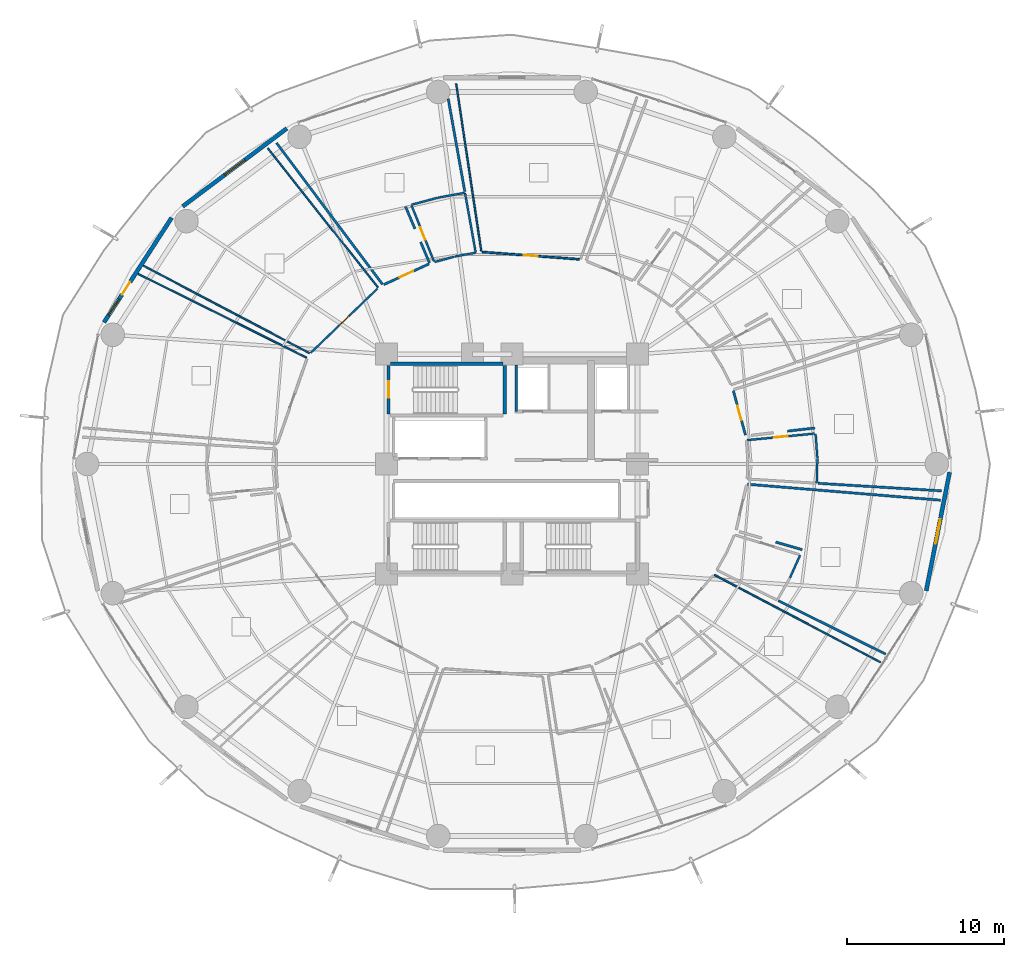
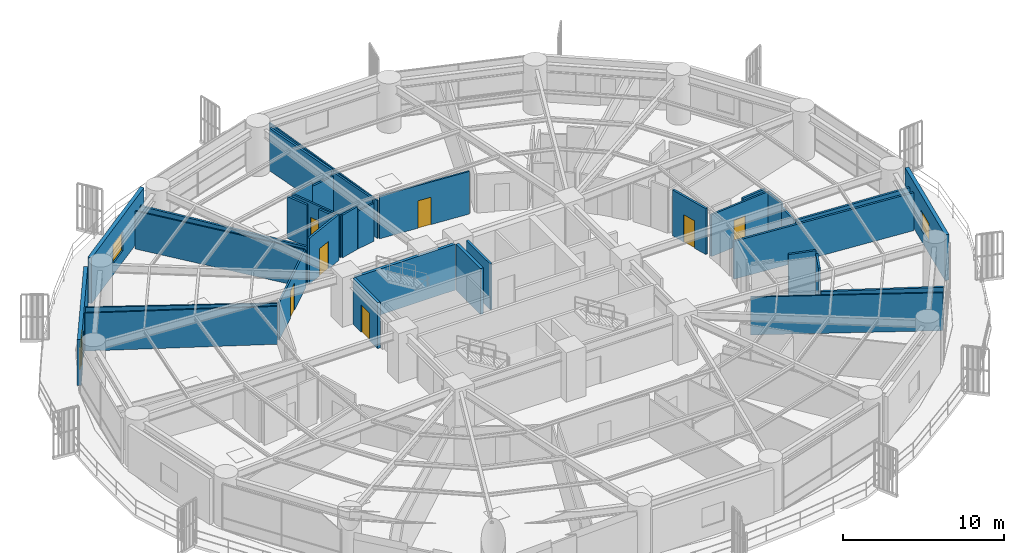
# One storey, part 25 of 32: 35 walls, 8 doors, 3 windows, 11 openings.
"""IFC4 building model written with IfcOpenShell, lengths in metres."""

import ifcopenshell
import ifcopenshell.guid

model = None  # the IFC model being written
_history = None  # IfcOwnerHistory: only IFC2X3 demands one
_inside = {}  # id of a spatial element -> (the spatial element, [elements in it])
_under = {}  # id of a project, library or spatial element -> (it, [spatial elements below it])
_declared = {}  # id of a project -> (the project, [libraries it declares])
_typed = {}  # id of a type object -> (the type object, [elements of that type])
_made_of = {}  # id of a material, layer set ... -> (it, [elements and type objects made of it])


def new_model(schema):
    """Start an empty IFC model of exactly this schema.

    Asked for "IFC4X3", IfcOpenShell would pick the latest addendum, in which some entities
    have other attributes; the version numbers below select the first issue.
    IFC2X3 requires an IfcOwnerHistory on every rooted entity: one is made here for all.
    """
    global model, _history
    if schema == "IFC4X3":
        model = ifcopenshell.file(schema_version=(4, 3, 0, 0))
    else:
        model = ifcopenshell.file(schema=schema)
    _inside.clear()
    _under.clear()
    _declared.clear()
    _typed.clear()
    _made_of.clear()
    _history = None
    if model.schema == "IFC2X3":
        org = make("IfcOrganization", Name="unknown")
        user = make(
            "IfcPersonAndOrganization",
            ThePerson=make("IfcPerson", FamilyName="unknown"),
            TheOrganization=org,
        )
        app = make(
            "IfcApplication",
            ApplicationDeveloper=org,
            Version="unknown",
            ApplicationFullName="unknown",
            ApplicationIdentifier="unknown",
        )
        _history = make(
            "IfcOwnerHistory",
            OwningUser=user,
            OwningApplication=app,
            ChangeAction="ADDED",
            CreationDate=0,
        )
    return model


def make(cls, **values):
    """One entity of the class cls with the attributes given. An attribute that is None is left unset."""
    return model.create_entity(
        cls, **{name: value for name, value in values.items() if value is not None}
    )


def rooted(cls, **values):
    """An entity with a GlobalId (a new one), such as an element, a storey or a relation."""
    return make(cls, GlobalId=ifcopenshell.guid.new(), OwnerHistory=_history, **values)


def si_unit(unit_type, name, prefix=None):
    """IfcSIUnit, for example si_unit("LENGTHUNIT", "METRE", prefix="MILLI")."""
    return make("IfcSIUnit", UnitType=unit_type, Prefix=prefix, Name=name)


def assignment(units):
    """IfcUnitAssignment: the units of a project."""
    return None if units is None else make("IfcUnitAssignment", Units=units)


def point(xyz):
    """IfcCartesianPoint."""
    return None if xyz is None else make("IfcCartesianPoint", Coordinates=xyz)


def direction(xyz):
    """IfcDirection."""
    return None if xyz is None else make("IfcDirection", DirectionRatios=xyz)


def frame(location, z_axis=None, x_axis=None):
    """IfcAxis2Placement3D, a coordinate frame: its origin and axes. An axis left out is left unset."""
    return make(
        "IfcAxis2Placement3D",
        Location=point(location),
        Axis=direction(z_axis),
        RefDirection=direction(x_axis),
    )


def frame_2d(location, x_axis=None):
    """IfcAxis2Placement2D, a coordinate frame in the plane: its origin and x axis."""
    return make(
        "IfcAxis2Placement2D", Location=point(location), RefDirection=direction(x_axis)
    )


def origin():
    """The frame at (0, 0, 0) with its axes left unset."""
    return frame((0.0, 0.0, 0.0))


def place(relative_to, where):
    """IfcLocalPlacement: puts the frame where relative to a parent placement (None: the world)."""
    return make(
        "IfcLocalPlacement", PlacementRelTo=relative_to, RelativePlacement=where
    )


def context(
    kind, dimensions, precision=None, world=None, true_north=None, identifier=None
):
    """IfcGeometricRepresentationContext, for example the 3D "Model" context."""
    return make(
        "IfcGeometricRepresentationContext",
        ContextIdentifier=identifier,
        ContextType=kind,
        CoordinateSpaceDimension=dimensions,
        Precision=precision,
        WorldCoordinateSystem=world,
        TrueNorth=true_north,
    )


def subcontext(parent, identifier, kind, view, scale=None):
    """IfcGeometricRepresentationSubContext, for example "Body" below "Model"."""
    return make(
        "IfcGeometricRepresentationSubContext",
        ContextIdentifier=identifier,
        ContextType=kind,
        ParentContext=parent,
        TargetScale=scale,
        TargetView=view,
    )


def project(units=None, contexts=None):
    """IfcProject with its units and contexts."""
    return rooted(
        "IfcProject",
        Name="project",
        RepresentationContexts=contexts,
        UnitsInContext=assignment(units),
    )


def spatial(cls, under=None, at=None, **own):
    """A site, building, storey or space (cls), placed at a placement, below another one or the project."""
    s = rooted(cls, ObjectPlacement=at, **own)
    if under is not None:
        _under.setdefault(under.id(), (under, []))[1].append(s)
    return s


def profile(cls, at=None, kind="AREA", **sizes):
    """A parametric profile (cls). Its sizes go by their IFC names, for example OverallWidth=200.0."""
    return make(cls, ProfileType=kind, Position=at, **sizes)


def rectangle(**sizes):
    """IfcRectangleProfileDef."""
    return profile("IfcRectangleProfileDef", **sizes)


def extrude(swept, where, along, depth):
    """IfcExtrudedAreaSolid: the profile swept, set in the frame where, extruded along a direction by depth."""
    return make(
        "IfcExtrudedAreaSolid",
        SweptArea=swept,
        Position=where,
        ExtrudedDirection=direction(along),
        Depth=depth,
    )


def shape(context_of_items, identifier, shape_type, items):
    """IfcShapeRepresentation: the items that make up one representation, for example the "Body"."""
    return make(
        "IfcShapeRepresentation",
        ContextOfItems=context_of_items,
        RepresentationIdentifier=identifier,
        RepresentationType=shape_type,
        Items=items,
    )


def material(Name=None, Category=None):
    """IfcMaterial."""
    return make("IfcMaterial", Name=Name, Category=Category)


def layer(
    of_material, thickness, ventilated=None, Name=None, Category=None, Priority=None
):
    """IfcMaterialLayer: one layer of a wall or slab, of a material (None: an air gap)."""
    return make(
        "IfcMaterialLayer",
        Material=of_material,
        LayerThickness=thickness,
        IsVentilated=ventilated,
        Name=Name,
        Category=Category,
        Priority=Priority,
    )


def layer_set(layers, Name=None):
    """IfcMaterialLayerSet."""
    return make("IfcMaterialLayerSet", MaterialLayers=layers, LayerSetName=Name)


def made_of(thing, what):
    """Note that an element or type object is made of a material, layer set ...; save() writes the relation."""
    if what is not None:
        _made_of.setdefault(what.id(), (what, []))[1].append(thing)
    return thing


def type_object(cls, material=None, **own):
    """A type object (cls), such as IfcWallType, which elements share."""
    return made_of(rooted(cls, **own), material)


def element(
    cls,
    number,
    at=None,
    inside=None,
    cuts=None,
    type_object=None,
    material=None,
    context=None,
    identifier="Body",
    shape_type=None,
    held_by="IfcProductDefinitionShape",
    body=None,
    shapes=None,
    **own,
):
    """One element of the class cls, such as IfcWall. Its Tag is "e" and its number.

    at: its placement. inside: the storey or other place that contains it. cuts: it is an
    opening in that element (IfcRelVoidsElement). A single representation is given by context,
    identifier, shape_type and body (its items); several are given by shapes. held_by: the class
    of the entity that holds the representations. save() writes the other relations.
    """
    e = rooted(cls, Tag="e%d" % number, ObjectPlacement=at, **own)
    if body is not None:
        shapes = [shape(context, identifier, shape_type, body)]
    if shapes is not None:
        e.Representation = make(held_by, Representations=shapes)
    if inside is not None:
        _inside.setdefault(inside.id(), (inside, []))[1].append(e)
    if cuts is not None:
        rooted(
            "IfcRelVoidsElement", RelatingBuildingElement=cuts, RelatedOpeningElement=e
        )
    if type_object is not None:
        _typed.setdefault(type_object.id(), (type_object, []))[1].append(e)
    return made_of(e, material)


def fill(opening, filler):
    """IfcRelFillsElement: the door or window that sits in an opening."""
    return rooted(
        "IfcRelFillsElement",
        RelatingOpeningElement=opening,
        RelatedBuildingElement=filler,
    )


def aggregate(whole, parts):
    """IfcRelAggregates: a whole, such as a stair, and the parts it consists of."""
    return rooted("IfcRelAggregates", RelatingObject=whole, RelatedObjects=parts)


def save(model, path):
    """Write the relations noted so far, then the file.

    IfcRelAggregates (storeys below a building ...), IfcRelContainedInSpatialStructure (elements
    in a storey), IfcRelDefinesByType, IfcRelAssociatesMaterial and IfcRelDeclares: one each for
    every whole, place, type object, material and project.
    """
    for whole, parts in _under.values():
        aggregate(whole, parts)
    for where, things in _inside.values():
        rooted(
            "IfcRelContainedInSpatialStructure",
            RelatedElements=things,
            RelatingStructure=where,
        )
    for kind, things in _typed.values():
        rooted("IfcRelDefinesByType", RelatedObjects=things, RelatingType=kind)
    for what, things in _made_of.values():
        rooted("IfcRelAssociatesMaterial", RelatedObjects=things, RelatingMaterial=what)
    for by, libraries in _declared.values():
        rooted("IfcRelDeclares", RelatingContext=by, RelatedDefinitions=libraries)
    model.write(path)


model = new_model("IFC4")

# Units and contexts
model_context = context("Model", 3, precision=1e-05, world=origin(), true_north=direction((0.0, 1.0)))
body_context = subcontext(model_context, "Body", "Model", "MODEL_VIEW")
ifc_project = project(units=[si_unit("LENGTHUNIT", "METRE"), si_unit("AREAUNIT", "SQUARE_METRE"), si_unit("VOLUMEUNIT", "CUBIC_METRE"), si_unit("PLANEANGLEUNIT", "RADIAN"), si_unit("MASSUNIT", "GRAM", prefix="KILO")], contexts=[model_context])

# Site, building, storey
site_placement = place(None, origin())
site = spatial("IfcSite", under=ifc_project, at=site_placement, CompositionType="ELEMENT")
building_placement = place(site_placement, origin())
building = spatial("IfcBuilding", under=site, at=building_placement, Name="Kelanora Arch Commons", CompositionType="ELEMENT")
storey_placement = place(building_placement, frame((0.0, 0.0, 56.25)))
storey = spatial("IfcBuildingStorey", under=building, at=storey_placement, Name="L14", CompositionType="ELEMENT", Elevation=56.25)

# Wall
ifc_material_1 = material(Name="Autoclaved aerated concrete blockwork with fire plaster", Category="masonry")
ifc_layer_1 = layer(ifc_material_1, 0.14990234375)
ifc_layer_set_1 = layer_set([ifc_layer_1], Name="Autoclaved aerated concrete blockwork with fire plaster")
wall_type_1 = type_object("IfcWallType", Name="W-COMP-150", PredefinedType="PARTITIONING", material=ifc_layer_set_1)
wall_1_placement = place(storey_placement, frame((74.280029296875, 61.35009765625, 0.0), z_axis=(0.0, 0.0, 1.0), x_axis=(0.0, 1.0, 0.0)))
element("IfcWall", 1, at=wall_1_placement, inside=storey, type_object=wall_type_1, Name="Firefighting Lift 1 West Shaft Wall L14", PredefinedType="PARTITIONING", context=body_context, shape_type="SweptSolid", body=[
    extrude(rectangle(XDim=2.969970703125, YDim=0.14990234375, at=frame_2d((1.48486328125, 0.0))), origin(), (0.0, 0.0, 1.0), 3.47998046875),
])

# Wall, opening, door
wall_2_placement = place(storey_placement, frame((68.70849609375, 70.7509765625, 0.0), z_axis=(0.0, 0.0, 1.0), x_axis=(-0.909329201607, -0.416077400378, 0.0)))
wall_2 = element("IfcWall", 2, at=wall_2_placement, inside=storey, type_object=wall_type_1, Name="Co-Living Studio L14-04 Entry Partition", PredefinedType="PARTITIONING", context=body_context, shape_type="SweptSolid", body=[
    extrude(rectangle(XDim=3.160400390625, YDim=0.14990234375, at=frame_2d((1.580078125, 0.0))), origin(), (0.0, 0.0, 1.0), 3.47998046875),
])
opening_1_placement = place(wall_2_placement, frame((1.10498046875, 0.0, 0.0)))
opening_1 = element("IfcOpeningElement", 3, at=opening_1_placement, cuts=wall_2, Name="Opening D-CLU1", PredefinedType="OPENING", context=body_context, shape_type="SweptSolid", body=[
    extrude(rectangle(XDim=0.949951171875, YDim=2.080078125, at=frame_2d((0.47509765625, 1.0400390625))), frame((0.0, 0.0849609375, 0.0), z_axis=(0.0, -1.0, 0.0), x_axis=(1.0, 0.0, 0.0)), (0.0, 0.0, 1.0), 0.169921875),
])
ifc_material_2 = material(Name="Solid-core acoustic timber cluster entry fire door", Category="wood")
door_type_1 = type_object("IfcDoorType", Name="D-CLU-95", OperationType="NOTDEFINED", PredefinedType="DOOR", material=ifc_material_2)
door_1_placement = place(opening_1_placement, origin())
door_1 = element("IfcDoor", 4, at=door_1_placement, inside=storey, type_object=door_type_1, Name="Co-Living Studio L14-04 Door", OperationType="SINGLE_SWING_LEFT", OverallHeight=2.080078125, OverallWidth=0.949951171875, PredefinedType="DOOR", context=body_context, shape_type="SweptSolid", body=[
    extrude(rectangle(XDim=0.949951171875, YDim=2.080078125, at=frame_2d((0.47509765625, 1.0400390625))), frame((0.0, 0.02490234375, 0.0), z_axis=(0.0, -1.0, 0.0), x_axis=(1.0, 0.0, 0.0)), (0.0, 0.0, 1.0), 0.050048828125),
])
fill(opening_1, door_1)

wall_3_placement = place(storey_placement, frame((88.88427734375, 59.844970703125, 0.0), z_axis=(0.0, 0.0, 1.0), x_axis=(-0.263653235341, 0.964617526014, 0.0)))
wall_3 = element("IfcWall", 5, at=wall_3_placement, inside=storey, type_object=wall_type_1, Name="Co-Living Studio L14-14 Entry Partition", PredefinedType="PARTITIONING", context=body_context, shape_type="SweptSolid", body=[
    extrude(rectangle(XDim=2.929931640625, YDim=0.14990234375, at=frame_2d((1.46484375, 0.0))), origin(), (0.0, 0.0, 1.0), 3.47998046875),
])
opening_2_placement = place(wall_3_placement, frame((0.989990234375, 0.0, 0.0)))
opening_2 = element("IfcOpeningElement", 6, at=opening_2_placement, cuts=wall_3, Name="Opening D-CLU1", PredefinedType="OPENING", context=body_context, shape_type="SweptSolid", body=[
    extrude(rectangle(XDim=0.949951171875, YDim=2.080078125, at=frame_2d((0.47509765625, 1.0400390625))), frame((0.0, 0.0849609375, 0.0), z_axis=(0.0, -1.0, 0.0), x_axis=(1.0, 0.0, 0.0)), (0.0, 0.0, 1.0), 0.169921875),
])
door_2_placement = place(opening_2_placement, origin())
door_2 = element("IfcDoor", 7, at=door_2_placement, inside=storey, type_object=door_type_1, Name="Co-Living Studio L14-14 Door", OperationType="SINGLE_SWING_RIGHT", OverallHeight=2.080078125, OverallWidth=0.949951171875, PredefinedType="DOOR", context=body_context, shape_type="SweptSolid", body=[
    extrude(rectangle(XDim=0.949951171875, YDim=2.080078125, at=frame_2d((0.47509765625, 1.0400390625))), frame((0.0, 0.02490234375, 0.0), z_axis=(0.0, -1.0, 0.0), x_axis=(1.0, 0.0, 0.0)), (0.0, 0.0, 1.0), 0.050048828125),
])
fill(opening_2, door_2)

# Walls
wall_4_placement = place(storey_placement, frame((65.756103515625, 69.443115234375, 0.0), z_axis=(0.0, 0.0, 1.0), x_axis=(-0.599892569248, 0.800080561794, 0.0)))
element("IfcWall", 8, at=wall_4_placement, inside=storey, type_object=wall_type_1, Name="Co-Living Studio L14-04 Enclosure Partition 2", PredefinedType="PARTITIONING", context=body_context, shape_type="SweptSolid", body=[
    extrude(rectangle(XDim=11.2724609375, YDim=0.14990234375, at=frame_2d((5.63623046875, 0.0))), origin(), (0.0, 0.0, 1.0), 2.875),
])
wall_5_placement = place(storey_placement, frame((69.938720703125, 81.278564453125, 0.0), z_axis=(0.0, 0.0, 1.0), x_axis=(0.175728719673, -0.98443863043, 0.0)))
element("IfcWall", 9, at=wall_5_placement, inside=storey, type_object=wall_type_1, Name="Co-Living Studio L14-04 Enclosure Partition 5", PredefinedType="PARTITIONING", context=body_context, shape_type="SweptSolid", body=[
    extrude(rectangle(XDim=6.004638671875, YDim=0.14990234375, at=frame_2d((3.00244140625, 0.0))), origin(), (0.0, 0.0, 1.0), 3.235107421875),
])
wall_6_placement = place(storey_placement, frame((67.216796875, 74.400146484375, 0.0), z_axis=(0.0, 0.0, 1.0), x_axis=(0.392381203535, -0.919802691403, 0.0)))
element("IfcWall", 10, at=wall_6_placement, inside=storey, type_object=wall_type_1, Name="Co-Living Studio L14-04 Enclosure Partition 7", PredefinedType="PARTITIONING", context=body_context, shape_type="SweptSolid", body=[
    extrude(rectangle(XDim=1.533203125, YDim=0.14990234375, at=frame_2d((0.7666015625, 0.0))), origin(), (0.0, 0.0, 1.0), 3.175048828125),
])
wall_7_placement = place(storey_placement, frame((68.179443359375, 72.143798828125, 0.0), z_axis=(0.0, 0.0, 1.0), x_axis=(0.392412042959, -0.919789534916, 0.0)))
element("IfcWall", 11, at=wall_7_placement, inside=storey, type_object=wall_type_1, Name="Co-Living Studio L14-04 Enclosure Partition 7", PredefinedType="PARTITIONING", context=body_context, shape_type="SweptSolid", body=[
    extrude(rectangle(XDim=1.447021484375, YDim=0.14990234375, at=frame_2d((0.7236328125, 0.0))), origin(), (0.0, 0.0, 1.0), 3.235107421875),
])
wall_8_placement = place(storey_placement, frame((89.0029296875, 56.710693359375, 0.0), z_axis=(0.0, 0.0, 1.0), x_axis=(0.996604780232, -0.08233414856, 0.0)))
element("IfcWall", 12, at=wall_8_placement, inside=storey, type_object=wall_type_1, Name="Co-Living Studio L14-13 Enclosure Partition 2", PredefinedType="PARTITIONING", context=body_context, shape_type="SweptSolid", body=[
    extrude(rectangle(XDim=12.356201171875, YDim=0.14990234375, at=frame_2d((6.17822265625, 0.0))), origin(), (0.0, 0.0, 1.0), 2.875),
])
wall_9_placement = place(storey_placement, frame((97.8271484375, 45.87890625, 0.0), z_axis=(0.0, 0.0, 1.0), x_axis=(-0.89528739616, 0.445489032724, 0.0)))
element("IfcWall", 13, at=wall_9_placement, inside=storey, type_object=wall_type_1, Name="Co-Living Studio L14-13 Enclosure Partition 5", PredefinedType="PARTITIONING", context=body_context, shape_type="SweptSolid", body=[
    extrude(rectangle(XDim=7.648193359375, YDim=0.14990234375, at=frame_2d((3.82421875, 0.0))), origin(), (0.0, 0.0, 1.0), 2.875),
])
wall_10_placement = place(storey_placement, frame((92.49951171875, 52.5400390625, 0.0), z_axis=(0.0, 0.0, 1.0), x_axis=(-0.961450395183, 0.27497843116, 0.0)))
element("IfcWall", 14, at=wall_10_placement, inside=storey, type_object=wall_type_1, Name="Co-Living Studio L14-13 Enclosure Partition 7", PredefinedType="PARTITIONING", context=body_context, shape_type="SweptSolid", body=[
    extrude(rectangle(XDim=1.75439453125, YDim=0.14990234375, at=frame_2d((0.877197265625, 0.0))), origin(), (0.0, 0.0, 1.0), 3.47998046875),
])
wall_11_placement = place(storey_placement, frame((101.373046875, 56.288330078125, 0.0), z_axis=(0.0, 0.0, 1.0), x_axis=(-0.998135541011, 0.0610363971, 0.0)))
element("IfcWall", 15, at=wall_11_placement, inside=storey, type_object=wall_type_1, Name="Co-Living Studio L14-14 Enclosure Partition 5", PredefinedType="PARTITIONING", context=body_context, shape_type="SweptSolid", body=[
    extrude(rectangle(XDim=7.8837890625, YDim=0.14990234375, at=frame_2d((3.94189453125, 0.0))), origin(), (0.0, 0.0, 1.0), 2.875),
])
wall_12_placement = place(storey_placement, frame((93.30419921875, 60.29443359375, 0.0), z_axis=(0.0, 0.0, 1.0), x_axis=(-0.993432194787, -0.114422350794, 0.0)))
element("IfcWall", 16, at=wall_12_placement, inside=storey, type_object=wall_type_1, Name="Co-Living Studio L14-14 Enclosure Partition 7", PredefinedType="PARTITIONING", context=body_context, shape_type="SweptSolid", body=[
    extrude(rectangle(XDim=1.745361328125, YDim=0.14990234375, at=frame_2d((0.87255859375, 0.0))), origin(), (0.0, 0.0, 1.0), 3.175048828125),
])

# Wall, opening, window
ifc_material_3 = material(Name="Precast concrete C40/50 with terracotta rainscreen", Category="masonry")
ifc_layer_2 = layer(ifc_material_3, 0.260009765625)
ifc_layer_set_2 = layer_set([ifc_layer_2], Name="Precast concrete C40/50 with terracotta rainscreen")
wall_type_2 = type_object("IfcWallType", Name="W-EXT-TC", PredefinedType="SOLIDWALL", material=ifc_layer_set_2)
wall_13_placement = place(storey_placement, frame((59.651123046875, 79.38916015625, 0.0), z_axis=(0.0, 0.0, 1.0), x_axis=(-0.80030733173, -0.599590005569, 0.0)))
wall_13 = element("IfcWall", 17, at=wall_13_placement, inside=storey, type_object=wall_type_2, Name="Terracotta Exterior Wall L14-B06", PredefinedType="SOLIDWALL", context=body_context, shape_type="SweptSolid", body=[
    extrude(rectangle(XDim=8.29052734375, YDim=0.260009765625, at=frame_2d((4.145263671875, 0.0))), origin(), (0.0, 0.0, 1.0), 3.47509765625),
])
opening_3_placement = place(wall_13_placement, frame((3.344970703125, 0.0, 0.85009765625)))
opening_3 = element("IfcOpeningElement", 18, at=opening_3_placement, cuts=wall_13, Name="Opening WN-01", PredefinedType="OPENING", context=body_context, shape_type="SweptSolid", body=[
    extrude(rectangle(XDim=1.60009765625, YDim=1.449951171875, at=frame_2d((0.800048828125, 0.72509765625))), frame((0.0, 0.14013671875, 0.0), z_axis=(0.0, -1.0, 0.0), x_axis=(1.0, 0.0, 0.0)), (0.0, 0.0, 1.0), 0.280029296875),
])
ifc_material_4 = material(Name="Terracotta-anodised aluminium frame with operable low-E glazing", Category="masonry")
window_type_1 = type_object("IfcWindowType", Name="WIN-CL-18", PartitioningType="DOUBLE_PANEL_VERTICAL", PredefinedType="WINDOW", material=ifc_material_4)
window_1_placement = place(opening_3_placement, origin())
window_1 = element("IfcWindow", 19, at=window_1_placement, inside=storey, type_object=window_type_1, Name="Co-Living Operable Window L14-B06", OverallHeight=1.449951171875, OverallWidth=1.60009765625, PartitioningType="SINGLE_PANEL", PredefinedType="WINDOW", context=body_context, shape_type="SweptSolid", body=[
    extrude(rectangle(XDim=1.60009765625, YDim=1.449951171875, at=frame_2d((0.800048828125, 0.72509765625))), frame((0.0, 0.030029296875, 0.0), z_axis=(0.0, -1.0, 0.0), x_axis=(1.0, 0.0, 0.0)), (0.0, 0.0, 1.0), 0.06005859375),
])
fill(opening_3, window_1)

# Wall, openings, door, window
wall_14_placement = place(storey_placement, frame((52.310791015625, 73.698486328125, 0.0), z_axis=(0.0, 0.0, 1.0), x_axis=(-0.543005114258, -0.839729388488, 0.0)))
wall_14 = element("IfcWall", 20, at=wall_14_placement, inside=storey, type_object=wall_type_2, Name="Terracotta Exterior Wall L14-B07", PredefinedType="SOLIDWALL", context=body_context, shape_type="SweptSolid", body=[
    extrude(rectangle(XDim=7.9375, YDim=0.260009765625, at=frame_2d((3.96875, 0.0))), origin(), (0.0, 0.0, 1.0), 3.47509765625),
])
opening_4_placement = place(wall_14_placement, frame((4.89404296875, 0.0, 0.0)))
opening_4 = element("IfcOpeningElement", 21, at=opening_4_placement, cuts=wall_14, Name="Opening DB-01", PredefinedType="OPENING", context=body_context, shape_type="SweptSolid", body=[
    extrude(rectangle(XDim=0.949951171875, YDim=2.10009765625, at=frame_2d((0.47509765625, 1.050048828125))), frame((0.0, 0.14013671875, 0.0), z_axis=(0.0, -1.0, 0.0), x_axis=(1.0, 0.0, 0.0)), (0.0, 0.0, 1.0), 0.280029296875),
])
opening_5_placement = place(wall_14_placement, frame((6.194091796875, 0.0, 0.85009765625)))
opening_5 = element("IfcOpeningElement", 22, at=opening_5_placement, cuts=wall_14, Name="Opening WN-02", PredefinedType="OPENING", context=body_context, shape_type="SweptSolid", body=[
    extrude(rectangle(XDim=1.199951171875, YDim=1.449951171875, at=frame_2d((0.60009765625, 0.72509765625))), frame((0.0, 0.14013671875, 0.0), z_axis=(0.0, -1.0, 0.0), x_axis=(1.0, 0.0, 0.0)), (0.0, 0.0, 1.0), 0.280029296875),
])
ifc_material_5 = material(Name="Terracotta-aluminium thermally broken glazed balcony door", Category="masonry")
door_type_2 = type_object("IfcDoorType", Name="D-BAL-10", OperationType="NOTDEFINED", PredefinedType="DOOR", material=ifc_material_5)
door_3_placement = place(opening_4_placement, frame((0.949951171875, 0.0, 0.0), z_axis=(0.0, 0.0, 1.0), x_axis=(-1.0, 0.0, 0.0)))
door_3 = element("IfcDoor", 23, at=door_3_placement, inside=storey, type_object=door_type_2, Name="Wave Balcony Door L14-B07", OperationType="SINGLE_SWING_RIGHT", OverallHeight=2.10009765625, OverallWidth=0.949951171875, PredefinedType="DOOR", context=body_context, shape_type="SweptSolid", body=[
    extrude(rectangle(XDim=0.949951171875, YDim=2.10009765625, at=frame_2d((0.47509765625, 1.050048828125))), frame((0.0, 0.02490234375, 0.0), z_axis=(0.0, -1.0, 0.0), x_axis=(1.0, 0.0, 0.0)), (0.0, 0.0, 1.0), 0.050048828125),
])
fill(opening_4, door_3)
ifc_material_6 = material(Name="Terracotta-anodised aluminium frame with operable awning sash", Category="masonry")
window_type_2 = type_object("IfcWindowType", Name="WIN-CL-12", PartitioningType="SINGLE_PANEL", PredefinedType="WINDOW", material=ifc_material_6)
window_2_placement = place(opening_5_placement, origin())
window_2 = element("IfcWindow", 24, at=window_2_placement, inside=storey, type_object=window_type_2, Name="Co-Living Operable Window L14-B07", OverallHeight=1.449951171875, OverallWidth=1.199951171875, PartitioningType="SINGLE_PANEL", PredefinedType="WINDOW", context=body_context, shape_type="SweptSolid", body=[
    extrude(rectangle(XDim=1.199951171875, YDim=1.449951171875, at=frame_2d((0.60009765625, 0.72509765625))), frame((0.0, 0.030029296875, 0.0), z_axis=(0.0, -1.0, 0.0), x_axis=(1.0, 0.0, 0.0)), (0.0, 0.0, 1.0), 0.06005859375),
])
fill(opening_5, window_2)

# Wall, opening, window
wall_15_placement = place(storey_placement, frame((100.404296875, 49.919921875, 0.0), z_axis=(0.0, 0.0, 1.0), x_axis=(0.193726159581, 0.98105564322, 0.0)))
wall_15 = element("IfcWall", 25, at=wall_15_placement, inside=storey, type_object=wall_type_2, Name="Terracotta Exterior Wall L14-B17", PredefinedType="SOLIDWALL", context=body_context, shape_type="SweptSolid", body=[
    extrude(rectangle(XDim=7.70263671875, YDim=0.260009765625, at=frame_2d((3.851318359375, 0.0))), origin(), (0.0, 0.0, 1.0), 3.47509765625),
])
opening_6_placement = place(wall_15_placement, frame((3.051025390625, 0.0, 0.85009765625)))
opening_6 = element("IfcOpeningElement", 26, at=opening_6_placement, cuts=wall_15, Name="Opening WN-01", PredefinedType="OPENING", context=body_context, shape_type="SweptSolid", body=[
    extrude(rectangle(XDim=1.60009765625, YDim=1.449951171875, at=frame_2d((0.800048828125, 0.72509765625))), frame((0.0, 0.14013671875, 0.0), z_axis=(0.0, -1.0, 0.0), x_axis=(1.0, 0.0, 0.0)), (0.0, 0.0, 1.0), 0.280029296875),
])
window_3_placement = place(opening_6_placement, origin())
window_3 = element("IfcWindow", 27, at=window_3_placement, inside=storey, type_object=window_type_1, Name="Co-Living Operable Window L14-B17", OverallHeight=1.449951171875, OverallWidth=1.60009765625, PartitioningType="SINGLE_PANEL", PredefinedType="WINDOW", context=body_context, shape_type="SweptSolid", body=[
    extrude(rectangle(XDim=1.60009765625, YDim=1.449951171875, at=frame_2d((0.800048828125, 0.72509765625))), frame((0.0, 0.030029296875, 0.0), z_axis=(0.0, -1.0, 0.0), x_axis=(1.0, 0.0, 0.0)), (0.0, 0.0, 1.0), 0.06005859375),
])
fill(opening_6, window_3)

# Walls
ifc_material_7 = material(Name="Lightweight fire-rated acoustic stud partition")
ifc_layer_3 = layer(ifc_material_7, 0.10009765625)
ifc_layer_set_3 = layer_set([ifc_layer_3], Name="Lightweight fire-rated acoustic stud partition")
wall_type_3 = type_object("IfcWallType", Name="W-PART-100", PredefinedType="PARTITIONING", material=ifc_layer_set_3)
wall_16_placement = place(storey_placement, frame((72.047119140625, 71.5546875, 0.0), z_axis=(0.0, 0.0, 1.0), x_axis=(-0.148282966471, 0.988944974129, 0.0)))
element("IfcWall", 28, at=wall_16_placement, inside=storey, type_object=wall_type_3, Name="Communal Dining and Social Hall L14-03 Enclosure Partition 2", PredefinedType="PARTITIONING", context=body_context, shape_type="SweptSolid", body=[
    extrude(rectangle(XDim=10.799072265625, YDim=0.10009765625, at=frame_2d((5.3994140625, 0.0))), origin(), (0.0, 0.0, 1.0), 2.875),
])
wall_17_placement = place(storey_placement, frame((61.0986328125, 65.064697265625, 0.0), z_axis=(0.0, 0.0, 1.0), x_axis=(-0.884914680824, 0.46575316173, 0.0)))
element("IfcWall", 29, at=wall_17_placement, inside=storey, type_object=wall_type_3, Name="Quiet Seminar Study Room L14-05 Enclosure Partition 2", PredefinedType="PARTITIONING", context=body_context, shape_type="SweptSolid", body=[
    extrude(rectangle(XDim=11.962890625, YDim=0.10009765625, at=frame_2d((5.9814453125, 0.0))), origin(), (0.0, 0.0, 1.0), 2.875),
])
wall_18_placement = place(storey_placement, frame((58.437744140625, 78.129638671875, 0.0), z_axis=(0.0, 0.0, 1.0), x_axis=(0.620037561985, -0.78457212653, 0.0)))
element("IfcWall", 30, at=wall_18_placement, inside=storey, type_object=wall_type_3, Name="Quiet Seminar Study Room L14-05 Enclosure Partition 4", PredefinedType="PARTITIONING", context=body_context, shape_type="SweptSolid", body=[
    extrude(rectangle(XDim=11.309814453125, YDim=0.10009765625, at=frame_2d((5.65478515625, 0.0))), origin(), (0.0, 0.0, 1.0), 2.875),
])
wall_19_placement = place(storey_placement, frame((50.1728515625, 70.12109375, 0.0), z_axis=(0.0, 0.0, 1.0), x_axis=(0.895272258208, -0.445519453764, 0.0)))
element("IfcWall", 31, at=wall_19_placement, inside=storey, type_object=wall_type_3, Name="Social Sky Lounge L14-06 Enclosure Partition 4", PredefinedType="PARTITIONING", context=body_context, shape_type="SweptSolid", body=[
    extrude(rectangle(XDim=11.99560546875, YDim=0.10009765625, at=frame_2d((5.997802734375, 0.0))), origin(), (0.0, 0.0, 1.0), 2.875),
])
wall_20_placement = place(storey_placement, frame((86.9013671875, 50.935302734375, 0.0), z_axis=(0.0, 0.0, 1.0), x_axis=(0.884914680824, -0.46575316173, 0.0)))
element("IfcWall", 32, at=wall_20_placement, inside=storey, type_object=wall_type_3, Name="Tutorial Study Alcove L14-12 Enclosure Partition 2", PredefinedType="PARTITIONING", context=body_context, shape_type="SweptSolid", body=[
    extrude(rectangle(XDim=11.962890625, YDim=0.10009765625, at=frame_2d((5.9814453125, 0.0))), origin(), (0.0, 0.0, 1.0), 2.875),
])

# Wall, opening, door
ifc_material_8 = material(Name="Acoustic twin-stud fire-rated gypsum partition")
ifc_layer_4 = layer(ifc_material_8, 0.1201171875)
ifc_layer_set_4 = layer_set([ifc_layer_4], Name="Acoustic twin-stud fire-rated gypsum partition")
wall_type_4 = type_object("IfcWallType", Name="W-PART-120", PredefinedType="PARTITIONING", material=ifc_layer_set_4)
wall_21_placement = place(storey_placement, frame((78.30224609375, 71.047607421875, 0.0), z_axis=(0.0, 0.0, 1.0), x_axis=(-0.997215128993, 0.074578726908, 0.0)))
wall_21 = element("IfcWall", 33, at=wall_21_placement, inside=storey, type_object=wall_type_4, Name="Communal Dining and Social Hall L14-03 Entry Partition", PredefinedType="PARTITIONING", context=body_context, shape_type="SweptSolid", body=[
    extrude(rectangle(XDim=6.206787109375, YDim=0.1201171875, at=frame_2d((3.103515625, 0.0))), origin(), (0.0, 0.0, 1.0), 3.235107421875),
])
opening_7_placement = place(wall_21_placement, frame((2.653076171875, 0.0, 0.0)))
opening_7 = element("IfcOpeningElement", 34, at=opening_7_placement, cuts=wall_21, Name="Opening D-RM1", PredefinedType="OPENING", context=body_context, shape_type="SweptSolid", body=[
    extrude(rectangle(XDim=0.89990234375, YDim=2.080078125, at=frame_2d((0.449951171875, 1.0400390625))), frame((0.0, 0.070068359375, 0.0), z_axis=(0.0, -1.0, 0.0), x_axis=(1.0, 0.0, 0.0)), (0.0, 0.0, 1.0), 0.14013671875),
])
ifc_material_9 = material(Name="Acoustic fire-rated timber study and lounge door", Category="wood")
door_type_3 = type_object("IfcDoorType", Name="D-ROOM-90", OperationType="NOTDEFINED", PredefinedType="DOOR", material=ifc_material_9)
door_4_placement = place(opening_7_placement, origin())
door_4 = element("IfcDoor", 35, at=door_4_placement, inside=storey, type_object=door_type_3, Name="Communal Dining and Social Hall L14-03 Door", OperationType="SINGLE_SWING_LEFT", OverallHeight=2.080078125, OverallWidth=0.89990234375, PredefinedType="DOOR", context=body_context, shape_type="SweptSolid", body=[
    extrude(rectangle(XDim=0.89990234375, YDim=2.080078125, at=frame_2d((0.449951171875, 1.0400390625))), frame((0.0, 0.02490234375, 0.0), z_axis=(0.0, -1.0, 0.0), x_axis=(1.0, 0.0, 0.0)), (0.0, 0.0, 1.0), 0.050048828125),
])
fill(opening_7, door_4)

wall_22_placement = place(storey_placement, frame((65.431884765625, 69.183349609375, 0.0), z_axis=(0.0, 0.0, 1.0), x_axis=(-0.720434955678, -0.69352251199, 0.0)))
wall_22 = element("IfcWall", 36, at=wall_22_placement, inside=storey, type_object=wall_type_4, Name="Quiet Seminar Study Room L14-05 Entry Partition", PredefinedType="PARTITIONING", context=body_context, shape_type="SweptSolid", body=[
    extrude(rectangle(XDim=5.90576171875, YDim=0.1201171875, at=frame_2d((2.952880859375, 0.0))), origin(), (0.0, 0.0, 1.0), 2.875),
])
opening_8_placement = place(wall_22_placement, frame((2.5029296875, 0.0, 0.0)))
opening_8 = element("IfcOpeningElement", 37, at=opening_8_placement, cuts=wall_22, Name="Opening D-RM1", PredefinedType="OPENING", context=body_context, shape_type="SweptSolid", body=[
    extrude(rectangle(XDim=0.89990234375, YDim=2.080078125, at=frame_2d((0.449951171875, 1.0400390625))), frame((0.0, 0.070068359375, 0.0), z_axis=(0.0, -1.0, 0.0), x_axis=(1.0, 0.0, 0.0)), (0.0, 0.0, 1.0), 0.14013671875),
])
door_5_placement = place(opening_8_placement, origin())
door_5 = element("IfcDoor", 38, at=door_5_placement, inside=storey, type_object=door_type_3, Name="Quiet Seminar Study Room L14-05 Door", OperationType="SINGLE_SWING_RIGHT", OverallHeight=2.080078125, OverallWidth=0.89990234375, PredefinedType="DOOR", context=body_context, shape_type="SweptSolid", body=[
    extrude(rectangle(XDim=0.89990234375, YDim=2.080078125, at=frame_2d((0.449951171875, 1.0400390625))), frame((0.0, 0.02490234375, 0.0), z_axis=(0.0, -1.0, 0.0), x_axis=(1.0, 0.0, 0.0)), (0.0, 0.0, 1.0), 0.050048828125),
])
fill(opening_8, door_5)

# Walls
ifc_material_10 = material(Name="Concrete C40/50", Category="concrete")
ifc_layer_5 = layer(ifc_material_10, 0.199951171875)
ifc_layer_set_5 = layer_set([ifc_layer_5], Name="Concrete C40/50")
wall_type_5 = type_object("IfcWallType", Name="W-STAIR-200", PredefinedType="SHEAR", material=ifc_layer_set_5)
wall_23_placement = place(storey_placement, frame((73.5400390625, 61.199951171875, 0.0), z_axis=(0.0, 0.0, 1.0), x_axis=(0.0, 1.0, 0.0)))
element("IfcWall", 39, at=wall_23_placement, inside=storey, type_object=wall_type_5, Name="Stair ST-T1 Shaft Wall E L14", PredefinedType="SHEAR", context=body_context, shape_type="SweptSolid", body=[
    extrude(rectangle(XDim=3.070068359375, YDim=0.199951171875, at=frame_2d((1.53515625, 0.0))), origin(), (0.0, 0.0, 1.0), 3.489990234375),
])
wall_24_placement = place(storey_placement, frame((73.419921875, 64.389892578125, 0.0), z_axis=(0.0, 0.0, 1.0), x_axis=(-1.0, 0.0, 0.0)))
element("IfcWall", 40, at=wall_24_placement, inside=storey, type_object=wall_type_5, Name="Stair ST-T1 Shaft Wall N L14", PredefinedType="SHEAR", context=body_context, shape_type="SweptSolid", body=[
    extrude(rectangle(XDim=7.159912109375, YDim=0.199951171875, at=frame_2d((3.580078125, 0.0))), origin(), (0.0, 0.0, 1.0), 3.489990234375),
])

# Wall, opening, door
wall_25_placement = place(storey_placement, frame((66.139892578125, 64.27001953125, 0.0), z_axis=(0.0, 0.0, 1.0), x_axis=(0.0, -1.0, 0.0)))
wall_25 = element("IfcWall", 41, at=wall_25_placement, inside=storey, type_object=wall_type_5, Name="Stair ST-T1 Shaft Wall W L14", PredefinedType="SHEAR", context=body_context, shape_type="SweptSolid", body=[
    extrude(rectangle(XDim=3.070068359375, YDim=0.199951171875, at=frame_2d((1.53515625, 0.0))), origin(), (0.0, 0.0, 1.0), 3.489990234375),
])
opening_9_placement = place(wall_25_placement, frame((1.010009765625, 0.0, 0.0)))
opening_9 = element("IfcOpeningElement", 42, at=opening_9_placement, cuts=wall_25, Name="Opening D-ST1", PredefinedType="OPENING", context=body_context, shape_type="SweptSolid", body=[
    extrude(rectangle(XDim=1.050048828125, YDim=2.10009765625, at=frame_2d((0.52490234375, 1.050048828125))), frame((0.0, 0.10986328125, 0.0), z_axis=(0.0, -1.0, 0.0), x_axis=(1.0, 0.0, 0.0)), (0.0, 0.0, 1.0), 0.219970703125),
])
ifc_material_11 = material(Name="Steel fire-rated stairwell escape door", Category="steel")
door_type_4 = type_object("IfcDoorType", Name="D-STAIR-110", OperationType="NOTDEFINED", PredefinedType="DOOR", material=ifc_material_11)
door_6_placement = place(opening_9_placement, origin())
door_6 = element("IfcDoor", 43, at=door_6_placement, inside=storey, type_object=door_type_4, Name="Stair ST-T1 Escape Door L14", OperationType="SINGLE_SWING_LEFT", OverallHeight=2.10009765625, OverallWidth=1.050048828125, PredefinedType="DOOR", context=body_context, shape_type="SweptSolid", body=[
    extrude(rectangle(XDim=1.050048828125, YDim=2.10009765625, at=frame_2d((0.52490234375, 1.050048828125))), frame((0.0, 0.02490234375, 0.0), z_axis=(0.0, -1.0, 0.0), x_axis=(1.0, 0.0, 0.0)), (0.0, 0.0, 1.0), 0.050048828125),
])
fill(opening_9, door_6)

ifc_material_12 = material(Name="Moisture-resistant fire-rated cement-board plumbing wall")
ifc_layer_6 = layer(ifc_material_12, 0.1298828125)
ifc_layer_set_6 = layer_set([ifc_layer_6], Name="Moisture-resistant fire-rated cement-board plumbing wall")
wall_type_6 = type_object("IfcWallType", Name="W-WET-120", PredefinedType="PLUMBINGWALL", material=ifc_layer_set_6)
wall_26_placement = place(storey_placement, frame((69.024658203125, 70.9248046875, 0.0), z_axis=(0.0, 0.0, 1.0), x_axis=(-0.372295813282, 0.928114124132, 0.0)))
wall_26 = element("IfcWall", 44, at=wall_26_placement, inside=storey, type_object=wall_type_6, Name="En-Suite Shower WC L14-04 Entry Partition", PredefinedType="PLUMBINGWALL", context=body_context, shape_type="SweptSolid", body=[
    extrude(rectangle(XDim=3.812744140625, YDim=0.1298828125, at=frame_2d((1.90625, 0.0))), origin(), (0.0, 0.0, 1.0), 3.175048828125),
])
opening_10_placement = place(wall_26_placement, frame((1.47607421875, 0.0, 0.0)))
opening_10 = element("IfcOpeningElement", 45, at=opening_10_placement, cuts=wall_26, Name="Opening D-BT1", PredefinedType="OPENING", context=body_context, shape_type="SweptSolid", body=[
    extrude(rectangle(XDim=0.860107421875, YDim=2.050048828125, at=frame_2d((0.43017578125, 1.02490234375))), frame((0.0, 0.074951171875, 0.0), z_axis=(0.0, -1.0, 0.0), x_axis=(1.0, 0.0, 0.0)), (0.0, 0.0, 1.0), 0.14990234375),
])
ifc_material_13 = material(Name="Moisture-sealed fire-rated accessible bathroom door")
door_type_5 = type_object("IfcDoorType", Name="D-BATH-85", OperationType="NOTDEFINED", PredefinedType="DOOR", material=ifc_material_13)
door_7_placement = place(opening_10_placement, origin())
door_7 = element("IfcDoor", 46, at=door_7_placement, inside=storey, type_object=door_type_5, Name="En-Suite Shower WC L14-04 Door", OperationType="SINGLE_SWING_RIGHT", OverallHeight=2.050048828125, OverallWidth=0.860107421875, PredefinedType="DOOR", context=body_context, shape_type="SweptSolid", body=[
    extrude(rectangle(XDim=0.860107421875, YDim=2.050048828125, at=frame_2d((0.43017578125, 1.02490234375))), frame((0.0, 0.02490234375, 0.0), z_axis=(0.0, -1.0, 0.0), x_axis=(1.0, 0.0, 0.0)), (0.0, 0.0, 1.0), 0.050048828125),
])
fill(opening_10, door_7)

wall_27_placement = place(storey_placement, frame((88.99658203125, 59.521728515625, 0.0), z_axis=(0.0, 0.0, 1.0), x_axis=(0.995308448338, 0.096752739847, 0.0)))
wall_27 = element("IfcWall", 47, at=wall_27_placement, inside=storey, type_object=wall_type_6, Name="En-Suite Shower WC L14-14 Entry Partition", PredefinedType="PLUMBINGWALL", context=body_context, shape_type="SweptSolid", body=[
    extrude(rectangle(XDim=4.31494140625, YDim=0.1298828125, at=frame_2d((2.157470703125, 0.0))), origin(), (0.0, 0.0, 1.0), 3.175048828125),
])
opening_11_placement = place(wall_27_placement, frame((1.72705078125, 0.0, 0.0)))
opening_11 = element("IfcOpeningElement", 48, at=opening_11_placement, cuts=wall_27, Name="Opening D-BT1", PredefinedType="OPENING", context=body_context, shape_type="SweptSolid", body=[
    extrude(rectangle(XDim=0.860107421875, YDim=2.050048828125, at=frame_2d((0.43017578125, 1.02490234375))), frame((0.0, 0.074951171875, 0.0), z_axis=(0.0, -1.0, 0.0), x_axis=(1.0, 0.0, 0.0)), (0.0, 0.0, 1.0), 0.14990234375),
])
door_8_placement = place(opening_11_placement, origin())
door_8 = element("IfcDoor", 49, at=door_8_placement, inside=storey, type_object=door_type_5, Name="En-Suite Shower WC L14-14 Door", OperationType="SINGLE_SWING_LEFT", OverallHeight=2.050048828125, OverallWidth=0.860107421875, PredefinedType="DOOR", context=body_context, shape_type="SweptSolid", body=[
    extrude(rectangle(XDim=0.860107421875, YDim=2.050048828125, at=frame_2d((0.43017578125, 1.02490234375))), frame((0.0, 0.02490234375, 0.0), z_axis=(0.0, -1.0, 0.0), x_axis=(1.0, 0.0, 0.0)), (0.0, 0.0, 1.0), 0.050048828125),
])
fill(opening_11, door_8)

# Walls
wall_28_placement = place(storey_placement, frame((71.67041015625, 71.46435546875, 0.0), z_axis=(0.0, 0.0, 1.0), x_axis=(-0.983620231748, -0.180253265423, 0.0)))
element("IfcWall", 50, at=wall_28_placement, inside=storey, type_object=wall_type_6, Name="En-Suite Shower WC L14-04 Enclosure Partition 1", PredefinedType="PLUMBINGWALL", context=body_context, shape_type="SweptSolid", body=[
    extrude(rectangle(XDim=1.3193359375, YDim=0.1298828125, at=frame_2d((0.65966796875, 0.0))), origin(), (0.0, 0.0, 1.0), 2.875),
])
wall_29_placement = place(storey_placement, frame((70.333740234375, 71.2177734375, 0.0), z_axis=(0.0, 0.0, 1.0), x_axis=(-0.965174550562, -0.261606741021, 0.0)))
element("IfcWall", 51, at=wall_29_placement, inside=storey, type_object=wall_type_6, Name="En-Suite Shower WC L14-04 Enclosure Partition 2", PredefinedType="PLUMBINGWALL", context=body_context, shape_type="SweptSolid", body=[
    extrude(rectangle(XDim=1.31298828125, YDim=0.1298828125, at=frame_2d((0.656494140625, 0.0))), origin(), (0.0, 0.0, 1.0), 3.235107421875),
])
wall_30_placement = place(storey_placement, frame((67.602294921875, 74.524169921875, 0.0), z_axis=(0.0, 0.0, 1.0), x_axis=(0.96583848403, 0.259144791123, 0.0)))
element("IfcWall", 52, at=wall_30_placement, inside=storey, type_object=wall_type_6, Name="En-Suite Shower WC L14-04 Enclosure Partition 4", PredefinedType="PLUMBINGWALL", context=body_context, shape_type="SweptSolid", body=[
    extrude(rectangle(XDim=1.7119140625, YDim=0.1298828125, at=frame_2d((0.85595703125, 0.0))), origin(), (0.0, 0.0, 1.0), 3.175048828125),
])
wall_31_placement = place(storey_placement, frame((69.294677734375, 74.9765625, 0.0), z_axis=(0.0, 0.0, 1.0), x_axis=(0.983858555359, 0.178947878019, 0.0)))
element("IfcWall", 53, at=wall_31_placement, inside=storey, type_object=wall_type_6, Name="En-Suite Shower WC L14-04 Enclosure Partition 5", PredefinedType="PLUMBINGWALL", context=body_context, shape_type="SweptSolid", body=[
    extrude(rectangle(XDim=1.720458984375, YDim=0.1298828125, at=frame_2d((0.8603515625, 0.0))), origin(), (0.0, 0.0, 1.0), 2.875),
])
wall_32_placement = place(storey_placement, frame((71.010498046875, 75.268310546875, 0.0), z_axis=(0.0, 0.0, 1.0), x_axis=(0.176026055589, -0.984385507692, 0.0)))
element("IfcWall", 54, at=wall_32_placement, inside=storey, type_object=wall_type_6, Name="En-Suite Shower WC L14-04 Enclosure Partition 6", PredefinedType="PLUMBINGWALL", context=body_context, shape_type="SweptSolid", body=[
    extrude(rectangle(XDim=3.840576171875, YDim=0.1298828125, at=frame_2d((1.92041015625, 0.0))), origin(), (0.0, 0.0, 1.0), 3.175048828125),
])
wall_33_placement = place(storey_placement, frame((92.36572265625, 52.190673828125, 0.0), z_axis=(0.0, 0.0, 1.0), x_axis=(-0.408383071263, -0.912810641429, 0.0)))
element("IfcWall", 55, at=wall_33_placement, inside=storey, type_object=wall_type_6, Name="En-Suite Shower WC L14-13 Enclosure Partition 4", PredefinedType="PLUMBINGWALL", context=body_context, shape_type="SweptSolid", body=[
    extrude(rectangle(XDim=1.573486328125, YDim=0.1298828125, at=frame_2d((0.78662109375, 0.0))), origin(), (0.0, 0.0, 1.0), 3.47998046875),
])
wall_34_placement = place(storey_placement, frame((93.3525390625, 59.925048828125, 0.0), z_axis=(0.0, 0.0, 1.0), x_axis=(0.07367990301, -0.997281942027, 0.0)))
element("IfcWall", 56, at=wall_34_placement, inside=storey, type_object=wall_type_6, Name="En-Suite Shower WC L14-14 Enclosure Partition 4", PredefinedType="PLUMBINGWALL", context=body_context, shape_type="SweptSolid", body=[
    extrude(rectangle(XDim=1.54736328125, YDim=0.1298828125, at=frame_2d((0.773681640625, 0.0))), origin(), (0.0, 0.0, 1.0), 3.175048828125),
])
wall_35_placement = place(storey_placement, frame((93.46728515625, 58.342041015625, 0.0), z_axis=(0.0, 0.0, 1.0), x_axis=(-0.02760506688, -0.999618907526, 0.0)))
element("IfcWall", 57, at=wall_35_placement, inside=storey, type_object=wall_type_6, Name="En-Suite Shower WC L14-14 Enclosure Partition 5", PredefinedType="PLUMBINGWALL", context=body_context, shape_type="SweptSolid", body=[
    extrude(rectangle(XDim=1.547607421875, YDim=0.1298828125, at=frame_2d((0.77392578125, 0.0))), origin(), (0.0, 0.0, 1.0), 2.875),
])

save(model, "model.ifc")
